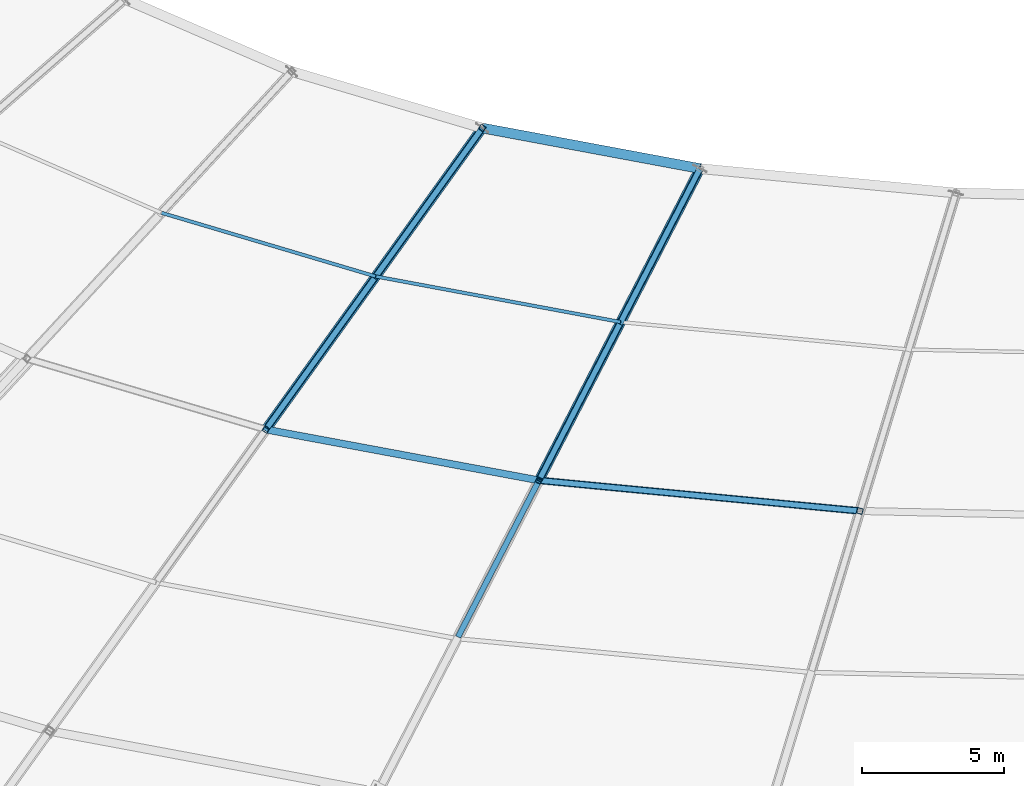
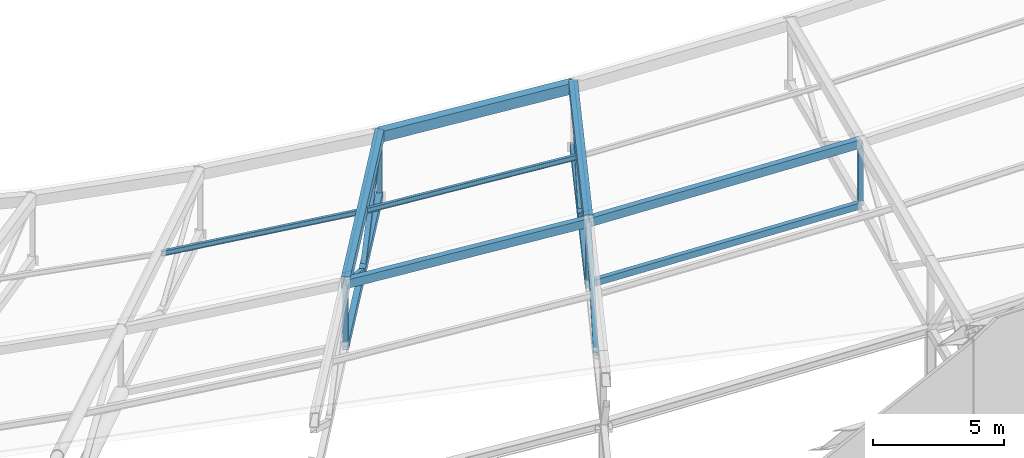
# One storey, part 31 of 143: 12 members, 7 beams.
"""IFC4 building model written with IfcOpenShell, lengths in metres."""

from ifc_helpers import new_model, si_unit, direction, frame, origin, origin_2d, place, context, subcontext, project, spatial, hollow_rectangle, i_section, extrude, material, material_profile, profile_set, type_object, element, save


model = new_model("IFC4")

# Units and contexts
model_context = context("Model", 3, precision=1e-05, world=origin(), true_north=direction((0.0, 1.0)))
body_context = subcontext(model_context, "Body", "Model", "MODEL_VIEW")
ifc_project = project(units=[si_unit("LENGTHUNIT", "METRE"), si_unit("AREAUNIT", "SQUARE_METRE"), si_unit("VOLUMEUNIT", "CUBIC_METRE"), si_unit("PLANEANGLEUNIT", "RADIAN"), si_unit("MASSUNIT", "GRAM", prefix="KILO")], contexts=[model_context])

# Site, building, storey
site_placement = place(None, origin())
site = spatial("IfcSite", under=ifc_project, at=site_placement, CompositionType="ELEMENT")
building_placement = place(site_placement, origin())
building = spatial("IfcBuilding", under=site, at=building_placement, Name="Mphavela Belvedere Stadium", CompositionType="ELEMENT")
storey_placement = place(building_placement, frame((0.0, 0.0, 28.800048828125)))
storey = spatial("IfcBuildingStorey", under=building, at=storey_placement, Name="RF", CompositionType="ELEMENT", Elevation=28.800048828125)

# Beams
ifc_material_1 = material(Name="Steel S355", Category="steel")
ifc_material_profile_1 = material_profile(ifc_material_1, hollow_rectangle(XDim=0.35009765625, YDim=0.5, WallThickness=0.02001953125, at=origin_2d()), Name="RHS 500x350x20")
ifc_profile_set_1 = profile_set([ifc_material_profile_1], Name="Steel S355")
beam_type_1 = type_object("IfcBeamType", Name="BM-RING-IN", PredefinedType="BEAM", material=ifc_profile_set_1)
beam_1_placement = place(storey_placement, frame((84.931396484375, 45.10009765625, 6.4462890625), z_axis=(0.981391845302, -0.182791168086, 0.058799956167), x_axis=(0.183107984128, 0.983092806478, 0.0)))
element("IfcBeam", 1, at=beam_1_placement, inside=storey, type_object=beam_type_1, Name="Inner tension ring beam RB-IN-34", PredefinedType="BEAM", context=body_context, shape_type="SweptSolid", body=[
    extrude(hollow_rectangle(XDim=0.35009765625, YDim=0.5, WallThickness=0.02001953125, at=origin_2d()), origin(), (0.0, 0.0, 1.0), 7.830810546875),
])
ifc_material_2 = material(Name="Steel S355", Category="steel")
ifc_material_profile_2 = material_profile(ifc_material_2, hollow_rectangle(XDim=0.25, YDim=0.39990234375, WallThickness=0.01611328125, at=origin_2d()), Name="RHS 400x250x16")
ifc_profile_set_2 = profile_set([ifc_material_profile_2], Name="Steel S355")
beam_type_2 = type_object("IfcBeamType", Name="BM-RING-MID", PredefinedType="BEAM", material=ifc_profile_set_2)
beam_2_placement = place(storey_placement, frame((77.296875, 34.461181640625, 8.69384765625), z_axis=(0.98139414179, -0.18277751042, 0.058804082729), x_axis=(0.183094347373, 0.983095346322, 0.0)))
element("IfcBeam", 2, at=beam_2_placement, inside=storey, type_object=beam_type_2, Name="Intermediate roof ring beam RB-MID-34", PredefinedType="BEAM", context=body_context, shape_type="SweptSolid", body=[
    extrude(hollow_rectangle(XDim=0.25, YDim=0.39990234375, WallThickness=0.01611328125, at=origin_2d()), origin(), (0.0, 0.0, 1.0), 9.81884765625),
])
beam_3_placement = place(storey_placement, frame((86.93310546875, 32.66650390625, 9.271240234375), z_axis=(0.994978032266, -0.09487523632, 0.031896784175), x_axis=(0.094923536441, 0.995484566545, 0.0)))
element("IfcBeam", 3, at=beam_3_placement, inside=storey, type_object=beam_type_2, Name="Intermediate roof ring beam RB-MID-35", PredefinedType="BEAM", context=body_context, shape_type="SweptSolid", body=[
    extrude(hollow_rectangle(XDim=0.25, YDim=0.39990234375, WallThickness=0.01611328125, at=origin_2d()), origin(), (0.0, 0.0, 1.0), 11.381591796875),
])
ifc_material_3 = material(Name="Steel S355", Category="steel")
ifc_material_profile_3 = material_profile(ifc_material_3, hollow_rectangle(XDim=0.25, YDim=0.39990234375, WallThickness=0.01611328125, at=origin_2d()), Name="RHS 400x250x16")
ifc_profile_set_3 = profile_set([ifc_material_profile_3], Name="Steel S355")
beam_type_3 = type_object("IfcBeamType", Name="BM-TRUSS-BC2", PredefinedType="BEAM", material=ifc_profile_set_3)
beam_4_placement = place(storey_placement, frame((77.296875, 34.461181640625, 5.793701171875), z_axis=(0.574983176294, 0.801254896657, -0.165483949559), x_axis=(-0.812456656282, 0.583021596223, 0.0)))
element("IfcBeam", 4, at=beam_4_placement, inside=storey, type_object=beam_type_3, Name="Radial roof truss RT-34 bottom chord 3", PredefinedType="BEAM", context=body_context, shape_type="SweptSolid", body=[
    extrude(hollow_rectangle(XDim=0.25, YDim=0.39990234375, WallThickness=0.01611328125, at=origin_2d()), origin(), (0.0, 0.0, 1.0), 13.27783203125),
])
beam_5_placement = place(storey_placement, frame((86.93310546875, 32.66650390625, 6.371337890625), z_axis=(0.451136932804, 0.87334017255, -0.183718292151), x_axis=(-0.888462753712, 0.458948728363, 0.0)))
element("IfcBeam", 5, at=beam_5_placement, inside=storey, type_object=beam_type_3, Name="Radial roof truss RT-35 bottom chord 3", PredefinedType="BEAM", context=body_context, shape_type="SweptSolid", body=[
    extrude(hollow_rectangle(XDim=0.25, YDim=0.39990234375, WallThickness=0.01611328125, at=origin_2d()), origin(), (0.0, 0.0, 1.0), 12.597900390625),
])
ifc_material_4 = material(Name="Steel S355", Category="steel")
ifc_material_profile_4 = material_profile(ifc_material_4, hollow_rectangle(XDim=0.35009765625, YDim=0.5, WallThickness=0.02001953125, at=origin_2d()), Name="RHS 500x350x20")
ifc_profile_set_4 = profile_set([ifc_material_profile_4], Name="Steel S355")
beam_type_4 = type_object("IfcBeamType", Name="BM-TRUSS-TC2", PredefinedType="BEAM", material=ifc_profile_set_4)
beam_6_placement = place(storey_placement, frame((77.296875, 34.461181640625, 8.69384765625), z_axis=(0.574618992285, 0.800747396207, -0.169164479645), x_axis=(-0.812456656282, 0.583021596223, 0.0)))
element("IfcBeam", 6, at=beam_6_placement, inside=storey, type_object=beam_type_4, Name="Radial roof truss RT-34 top chord 3", PredefinedType="BEAM", context=body_context, shape_type="SweptSolid", body=[
    extrude(hollow_rectangle(XDim=0.35009765625, YDim=0.5, WallThickness=0.02001953125, at=origin_2d()), origin(), (0.0, 0.0, 1.0), 13.2861328125),
])
beam_7_placement = place(storey_placement, frame((86.93310546875, 32.66650390625, 9.271240234375), z_axis=(0.450804465526, 0.872696560804, -0.187552783566), x_axis=(-0.888462753712, 0.458948728363, 0.0)))
element("IfcBeam", 7, at=beam_7_placement, inside=storey, type_object=beam_type_4, Name="Radial roof truss RT-35 top chord 3", PredefinedType="BEAM", context=body_context, shape_type="SweptSolid", body=[
    extrude(hollow_rectangle(XDim=0.35009765625, YDim=0.5, WallThickness=0.02001953125, at=origin_2d()), origin(), (0.0, 0.0, 1.0), 12.607177734375),
])

# Members
ifc_material_5 = material(Name="Steel S355", Category="steel")
ifc_material_profile_5 = material_profile(ifc_material_5, hollow_rectangle(XDim=0.199951171875, YDim=0.199951171875, WallThickness=0.010009765625, at=origin_2d()), Name="SHS 200x200x10")
ifc_profile_set_5 = profile_set([ifc_material_profile_5], Name="Steel S355")
member_type_1 = type_object("IfcMemberType", Name="MEM-POST-SHS200", PredefinedType="POST", material=ifc_profile_set_5)
member_1_placement = place(storey_placement, frame((77.296875, 34.461181640625, 5.793701171875), z_axis=(0.0, 0.0, 1.0), x_axis=(-0.582974127943, -0.812490717577, 0.0)))
element("IfcMember", 8, at=member_1_placement, inside=storey, type_object=member_type_1, Name="Radial roof truss RT-34 post P3", PredefinedType="POST", context=body_context, shape_type="SweptSolid", body=[
    extrude(hollow_rectangle(XDim=0.199951171875, YDim=0.199951171875, WallThickness=0.010009765625, at=origin_2d()), origin(), (0.0, 0.0, 1.0), 2.900146484375),
])
member_2_placement = place(storey_placement, frame((84.931396484375, 45.10009765625, 3.596435546875), z_axis=(0.0, 0.0, 1.0), x_axis=(-0.582974127943, -0.812490717577, 0.0)))
element("IfcMember", 9, at=member_2_placement, inside=storey, type_object=member_type_1, Name="Radial roof truss RT-34 post P4", PredefinedType="POST", context=body_context, shape_type="SweptSolid", body=[
    extrude(hollow_rectangle(XDim=0.199951171875, YDim=0.199951171875, WallThickness=0.010009765625, at=origin_2d()), origin(), (0.0, 0.0, 1.0), 2.849853515625),
])
member_3_placement = place(storey_placement, frame((77.296875, 34.461181640625, 8.69384765625), z_axis=(0.497545206868, 0.693381036933, -0.521221166824), x_axis=(-0.81247182472, 0.583000458006, 0.0)))
element("IfcMember", 10, at=member_3_placement, inside=storey, type_object=member_type_1, Name="Radial roof truss RT-34 web diagonal D5", PredefinedType="POST", context=body_context, shape_type="SweptSolid", body=[
    extrude(hollow_rectangle(XDim=0.199951171875, YDim=0.199951171875, WallThickness=0.010009765625, at=origin_2d()), origin(), (0.0, 0.0, 1.0), 7.671875),
])
member_4_placement = place(storey_placement, frame((81.114013671875, 39.78076171875, 4.695068359375), z_axis=(0.563243412543, 0.78485210236, 0.258387375171), x_axis=(-0.812441487165, 0.583042734226, 0.0)))
element("IfcMember", 11, at=member_4_placement, inside=storey, type_object=member_type_1, Name="Radial roof truss RT-34 web diagonal D6", PredefinedType="POST", context=body_context, shape_type="SweptSolid", body=[
    extrude(hollow_rectangle(XDim=0.199951171875, YDim=0.199951171875, WallThickness=0.010009765625, at=origin_2d()), origin(), (0.0, 0.0, 1.0), 6.777587890625),
])
member_5_placement = place(storey_placement, frame((86.93310546875, 32.66650390625, 6.371337890625), z_axis=(0.0, 0.0, 1.0), x_axis=(-0.458959712465, -0.888457079624, 0.0)))
element("IfcMember", 12, at=member_5_placement, inside=storey, type_object=member_type_1, Name="Radial roof truss RT-35 post P3", PredefinedType="POST", context=body_context, shape_type="SweptSolid", body=[
    extrude(hollow_rectangle(XDim=0.199951171875, YDim=0.199951171875, WallThickness=0.010009765625, at=origin_2d()), origin(), (0.0, 0.0, 1.0), 2.89990234375),
])
member_6_placement = place(storey_placement, frame((84.09130859375, 27.16552734375, 7.428466796875), z_axis=(0.439902596761, 0.851536538679, 0.285256426147), x_axis=(-0.888450561596, 0.458972329885, 0.0)))
element("IfcMember", 13, at=member_6_placement, inside=storey, type_object=member_type_1, Name="Radial roof truss RT-35 web diagonal D4", PredefinedType="POST", context=body_context, shape_type="SweptSolid", body=[
    extrude(hollow_rectangle(XDim=0.199951171875, YDim=0.199951171875, WallThickness=0.010009765625, at=origin_2d()), origin(), (0.0, 0.0, 1.0), 6.4599609375),
])
member_7_placement = place(storey_placement, frame((86.93310546875, 32.66650390625, 9.271240234375), z_axis=(0.383859936518, 0.743149407127, -0.548069801963), x_axis=(-0.888474944996, 0.458925126916, 0.0)))
element("IfcMember", 14, at=member_7_placement, inside=storey, type_object=member_type_1, Name="Radial roof truss RT-35 web diagonal D5", PredefinedType="POST", context=body_context, shape_type="SweptSolid", body=[
    extrude(hollow_rectangle(XDim=0.199951171875, YDim=0.199951171875, WallThickness=0.010009765625, at=origin_2d()), origin(), (0.0, 0.0, 1.0), 7.402587890625),
])
member_8_placement = place(storey_placement, frame((89.774658203125, 38.167724609375, 5.214111328125), z_axis=(0.442727312502, 0.857004450626, 0.263696602884), x_axis=(-0.888450561596, 0.458972329885, 0.0)))
element("IfcMember", 15, at=member_8_placement, inside=storey, type_object=member_type_1, Name="Radial roof truss RT-35 web diagonal D6", PredefinedType="POST", context=body_context, shape_type="SweptSolid", body=[
    extrude(hollow_rectangle(XDim=0.199951171875, YDim=0.199951171875, WallThickness=0.010009765625, at=origin_2d()), origin(), (0.0, 0.0, 1.0), 6.4189453125),
])
member_9_placement = place(storey_placement, frame((98.257568359375, 31.586669921875, 6.734375), z_axis=(0.0, 0.0, 1.0), x_axis=(-0.289198876314, -0.957269037387, 0.0)))
element("IfcMember", 16, at=member_9_placement, inside=storey, type_object=member_type_1, Name="Radial roof truss RT-36 post P3", PredefinedType="POST", context=body_context, shape_type="SweptSolid", body=[
    extrude(hollow_rectangle(XDim=0.199951171875, YDim=0.199951171875, WallThickness=0.010009765625, at=origin_2d()), origin(), (0.0, 0.0, 1.0), 2.89990234375),
])
ifc_material_6 = material(Name="Steel S355", Category="steel")
ifc_material_profile_6 = material_profile(ifc_material_6, i_section(OverallWidth=0.1201171875, OverallDepth=0.239990234375, WebThickness=0.006103515625, FlangeThickness=0.009765625, at=origin_2d()), Name="IPE 240")
ifc_profile_set_6 = profile_set([ifc_material_profile_6], Name="Steel S355")
member_type_2 = type_object("IfcMemberType", Name="MEM-PURLIN-IPE240", PredefinedType="PURLIN", material=ifc_profile_set_6)
member_10_placement = place(storey_placement, frame((73.6083984375, 42.10791015625, 6.717529296875), z_axis=(0.955166960995, -0.283522803391, 0.085269552482), x_axis=(0.284559190919, 0.958658472483, 0.0)))
element("IfcMember", 17, at=member_10_placement, inside=storey, type_object=member_type_2, Name="Saddle canopy steel purlin 33-1", PredefinedType="PURLIN", context=body_context, shape_type="SweptSolid", body=[
    extrude(i_section(OverallWidth=0.1201171875, OverallDepth=0.239990234375, WebThickness=0.006103515625, FlangeThickness=0.009765625, at=origin_2d()), origin(), (0.0, 0.0, 1.0), 7.91943359375),
])
member_11_placement = place(storey_placement, frame((81.1728515625, 39.862548828125, 7.392822265625), z_axis=(0.981390057649, -0.182798170684, 0.05880802277), x_axis=(0.183115086025, 0.983091483673, 0.0)))
element("IfcMember", 18, at=member_11_placement, inside=storey, type_object=member_type_2, Name="Saddle canopy steel purlin 34-1", PredefinedType="PURLIN", context=body_context, shape_type="SweptSolid", body=[
    extrude(i_section(OverallWidth=0.1201171875, OverallDepth=0.239990234375, WebThickness=0.006103515625, FlangeThickness=0.009765625, at=origin_2d()), origin(), (0.0, 0.0, 1.0), 8.8095703125),
])
ifc_material_7 = material(Name="Steel S355", Category="steel")
ifc_material_profile_7 = material_profile(ifc_material_7, hollow_rectangle(XDim=0.199951171875, YDim=0.300048828125, WallThickness=0.011962890625, at=origin_2d()), Name="RHS 300x200x12")
ifc_profile_set_7 = profile_set([ifc_material_profile_7], Name="Steel S355")
member_type_3 = type_object("IfcMemberType", Name="MEM-SEC-CHORD", PredefinedType="CHORD", material=ifc_profile_set_7)
member_12_placement = place(storey_placement, frame((86.93310546875, 32.66650390625, 6.371337890625), z_axis=(0.994978032266, -0.09487523632, 0.031896784175), x_axis=(0.094923536441, 0.995484566545, 0.0)))
element("IfcMember", 19, at=member_12_placement, inside=storey, type_object=member_type_3, Name="Secondary bottom roof tie chord 35", PredefinedType="CHORD", context=body_context, shape_type="SweptSolid", body=[
    extrude(hollow_rectangle(XDim=0.199951171875, YDim=0.300048828125, WallThickness=0.011962890625, at=origin_2d()), origin(), (0.0, 0.0, 1.0), 11.381591796875),
])

save(model, "model.ifc")
